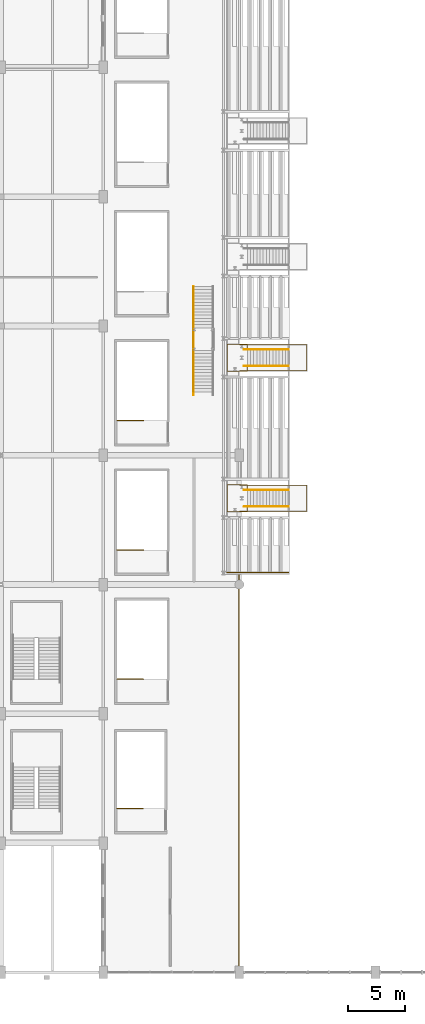
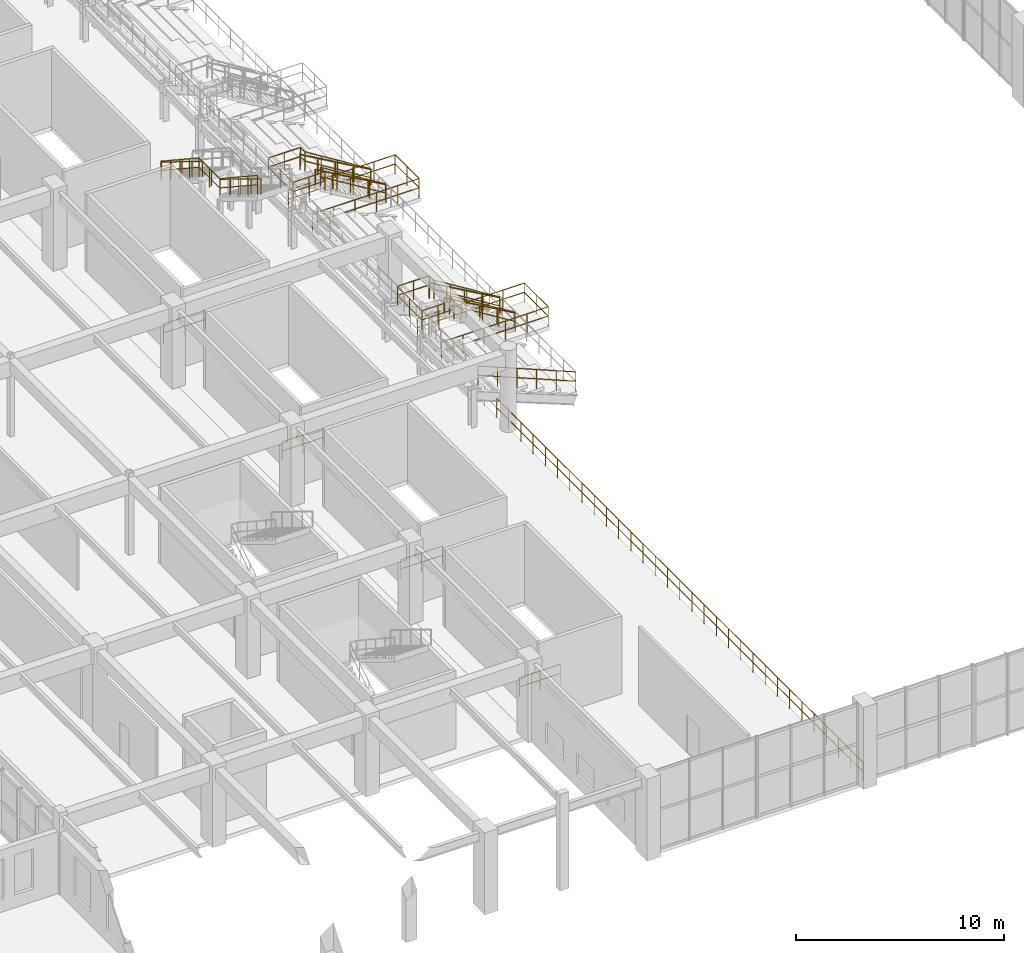
# One storey, part 102 of 106: 16 railings.
"""IFC4 building model written with IfcOpenShell, lengths in metres."""

from ifc_helpers import new_model, si_unit, direction, frame, origin, origin_2d, place, context, subcontext, project, spatial, circle, extrude, material, layer, layer_set, type_object, element, save


model = new_model("IFC4")

# Units and contexts
model_context = context("Model", 3, precision=1e-05, world=origin(), true_north=direction((0.0, 1.0)))
body_context = subcontext(model_context, "Body", "Model", "MODEL_VIEW")
ifc_project = project(units=[si_unit("LENGTHUNIT", "METRE"), si_unit("AREAUNIT", "SQUARE_METRE"), si_unit("VOLUMEUNIT", "CUBIC_METRE"), si_unit("PLANEANGLEUNIT", "RADIAN"), si_unit("MASSUNIT", "GRAM", prefix="KILO"), si_unit("POWERUNIT", "WATT"), si_unit("THERMODYNAMICTEMPERATUREUNIT", "KELVIN")], contexts=[model_context])

# Site, building, storey
site_placement = place(None, origin())
site = spatial("IfcSite", under=ifc_project, at=site_placement, CompositionType="ELEMENT")
building_placement = place(site_placement, origin())
building = spatial("IfcBuilding", under=site, at=building_placement, Name="Kelmbourne Parkland Aquatics Centre", CompositionType="ELEMENT")
storey_placement = place(building_placement, frame((0.0, 0.0, 5.39990234375)))
storey = spatial("IfcBuildingStorey", under=building, at=storey_placement, Name="L01", CompositionType="ELEMENT", Elevation=5.39990234375)

# Railings
ifc_material_1 = material(Name="Grade 316 stainless steel and laminated glass balustrade", Category="glass")
ifc_layer = layer(ifc_material_1, 0.06005859375)
ifc_layer_set = layer_set([ifc_layer], Name="Grade 316 stainless steel and laminated glass balustrade")
railing_type_1 = type_object("IfcRailingType", Name="RL-BL-114", PredefinedType="BALUSTRADE", material=ifc_layer_set)
railing_1_placement = place(storey_placement, frame((135.919921875, 61.280029296875, 0.0)))
element("IfcRailing", 1, at=railing_1_placement, inside=storey, type_object=railing_type_1, Name="FS02 west balustrade", PredefinedType="BALUSTRADE", context=body_context, shape_type="SweptSolid", body=[
    extrude(circle(Radius=0.02392578125, at=origin_2d()), frame((0.0, 0.0, 1.11572265625), z_axis=(0.0, -0.834856447115, 0.55046772177), x_axis=(1.0, 0.0, 0.0)), (0.0, 0.0, 1.0), 4.360107421875),
    extrude(circle(Radius=0.02392578125, at=origin_2d()), frame((0.0, 0.0, 0.56982421875), z_axis=(0.0, -0.834856447115, 0.55046772177), x_axis=(1.0, 0.0, 0.0)), (0.0, 0.0, 1.0), 4.360107421875),
    extrude(circle(Radius=0.02392578125, at=origin_2d()), frame((0.0, -3.64013671875, 3.51611328125), z_axis=(0.0, -1.0, 0.0), x_axis=(1.0, 0.0, 0.0)), (0.0, 0.0, 1.0), 2.0),
    extrude(circle(Radius=0.02392578125, at=origin_2d()), frame((0.0, -3.64013671875, 2.97021484375), z_axis=(0.0, -1.0, 0.0), x_axis=(1.0, 0.0, 0.0)), (0.0, 0.0, 1.0), 2.0),
    extrude(circle(Radius=0.02392578125, at=origin_2d()), frame((0.0, -5.64013671875, 3.51611328125), z_axis=(0.0, -0.834865213223, 0.550454426587), x_axis=(1.0, 0.0, 0.0)), (0.0, 0.0, 1.0), 4.35986328125),
    extrude(circle(Radius=0.02392578125, at=origin_2d()), frame((0.0, -5.64013671875, 2.97021484375), z_axis=(0.0, -0.834865213223, 0.550454426587), x_axis=(1.0, 0.0, 0.0)), (0.0, 0.0, 1.0), 4.35986328125),
    extrude(circle(Radius=0.02099609375, at=origin_2d()), origin(), (0.0, 0.0, 1.0), 1.091796875),
    extrude(circle(Radius=0.02099609375, at=origin_2d()), frame((0.0, -0.91015625, 0.60009765625)), (0.0, 0.0, 1.0), 1.091796875),
    extrude(circle(Radius=0.02099609375, at=origin_2d()), frame((0.0, -1.820068359375, 1.2001953125)), (0.0, 0.0, 1.0), 1.091796875),
    extrude(circle(Radius=0.02099609375, at=origin_2d()), frame((0.0, -2.72998046875, 1.800048828125)), (0.0, 0.0, 1.0), 1.091796875),
    extrude(circle(Radius=0.02099609375, at=origin_2d()), frame((0.0, -3.64013671875, 2.400146484375)), (0.0, 0.0, 1.0), 1.091796875),
    extrude(circle(Radius=0.02099609375, at=origin_2d()), frame((0.0, -4.64013671875, 2.400146484375)), (0.0, 0.0, 1.0), 1.091796875),
    extrude(circle(Radius=0.02099609375, at=origin_2d()), frame((0.0, -5.64013671875, 2.400146484375)), (0.0, 0.0, 1.0), 1.091796875),
    extrude(circle(Radius=0.02099609375, at=origin_2d()), frame((0.0, -6.550048828125, 3.0)), (0.0, 0.0, 1.0), 1.091796875),
    extrude(circle(Radius=0.02099609375, at=origin_2d()), frame((0.0, -7.4599609375, 3.60009765625)), (0.0, 0.0, 1.0), 1.091796875),
    extrude(circle(Radius=0.02099609375, at=origin_2d()), frame((0.0, -8.3701171875, 4.2001953125)), (0.0, 0.0, 1.0), 1.091796875),
    extrude(circle(Radius=0.02099609375, at=origin_2d()), frame((0.0, -9.280029296875, 4.800048828125)), (0.0, 0.0, 1.0), 1.091796875),
])
railing_2_placement = place(storey_placement, frame((139.949951171875, 0.85009765625, 0.0)))
element("IfcRailing", 2, at=railing_2_placement, inside=storey, type_object=railing_type_1, Name="Safety balustrade BAL-CONC-S", PredefinedType="BALUSTRADE", context=body_context, shape_type="SweptSolid", body=[
    extrude(circle(Radius=0.02392578125, at=origin_2d()), frame((0.0, 0.0, 1.11572265625), z_axis=(0.0, 1.0, 0.0), x_axis=(-1.0, 0.0, 0.0)), (0.0, 0.0, 1.0), 35.199951171875),
    extrude(circle(Radius=0.02392578125, at=origin_2d()), frame((0.0, 0.0, 0.56982421875), z_axis=(0.0, 1.0, 0.0), x_axis=(-1.0, 0.0, 0.0)), (0.0, 0.0, 1.0), 35.199951171875),
    extrude(circle(Radius=0.02099609375, at=origin_2d()), origin(), (0.0, 0.0, 1.0), 1.091796875),
    extrude(circle(Radius=0.02099609375, at=origin_2d()), frame((0.0, 1.17333984375, 0.0)), (0.0, 0.0, 1.0), 1.091796875),
    extrude(circle(Radius=0.02099609375, at=origin_2d()), frame((0.0, 2.3466796875, 0.0)), (0.0, 0.0, 1.0), 1.091796875),
    extrude(circle(Radius=0.02099609375, at=origin_2d()), frame((0.0, 3.52001953125, 0.0)), (0.0, 0.0, 1.0), 1.091796875),
    extrude(circle(Radius=0.02099609375, at=origin_2d()), frame((0.0, 4.693359375, 0.0)), (0.0, 0.0, 1.0), 1.091796875),
    extrude(circle(Radius=0.02099609375, at=origin_2d()), frame((0.0, 5.86669921875, 0.0)), (0.0, 0.0, 1.0), 1.091796875),
    extrude(circle(Radius=0.02099609375, at=origin_2d()), frame((0.0, 7.0400390625, 0.0)), (0.0, 0.0, 1.0), 1.091796875),
    extrude(circle(Radius=0.02099609375, at=origin_2d()), frame((0.0, 8.21337890625, 0.0)), (0.0, 0.0, 1.0), 1.091796875),
    extrude(circle(Radius=0.02099609375, at=origin_2d()), frame((0.0, 9.38671875, 0.0)), (0.0, 0.0, 1.0), 1.091796875),
    extrude(circle(Radius=0.02099609375, at=origin_2d()), frame((0.0, 10.56005859375, 0.0)), (0.0, 0.0, 1.0), 1.091796875),
    extrude(circle(Radius=0.02099609375, at=origin_2d()), frame((0.0, 11.7333984375, 0.0)), (0.0, 0.0, 1.0), 1.091796875),
    extrude(circle(Radius=0.02099609375, at=origin_2d()), frame((0.0, 12.90673828125, 0.0)), (0.0, 0.0, 1.0), 1.091796875),
    extrude(circle(Radius=0.02099609375, at=origin_2d()), frame((0.0, 14.080078125, 0.0)), (0.0, 0.0, 1.0), 1.091796875),
    extrude(circle(Radius=0.02099609375, at=origin_2d()), frame((0.0, 15.25341796875, 0.0)), (0.0, 0.0, 1.0), 1.091796875),
    extrude(circle(Radius=0.02099609375, at=origin_2d()), frame((0.0, 16.4267578125, 0.0)), (0.0, 0.0, 1.0), 1.091796875),
    extrude(circle(Radius=0.02099609375, at=origin_2d()), frame((0.0, 17.60009765625, 0.0)), (0.0, 0.0, 1.0), 1.091796875),
    extrude(circle(Radius=0.02099609375, at=origin_2d()), frame((0.0, 18.773193359375, 0.0)), (0.0, 0.0, 1.0), 1.091796875),
    extrude(circle(Radius=0.02099609375, at=origin_2d()), frame((0.0, 19.946533203125, 0.0)), (0.0, 0.0, 1.0), 1.091796875),
    extrude(circle(Radius=0.02099609375, at=origin_2d()), frame((0.0, 21.119873046875, 0.0)), (0.0, 0.0, 1.0), 1.091796875),
    extrude(circle(Radius=0.02099609375, at=origin_2d()), frame((0.0, 22.293212890625, 0.0)), (0.0, 0.0, 1.0), 1.091796875),
    extrude(circle(Radius=0.02099609375, at=origin_2d()), frame((0.0, 23.466552734375, 0.0)), (0.0, 0.0, 1.0), 1.091796875),
    extrude(circle(Radius=0.02099609375, at=origin_2d()), frame((0.0, 24.639892578125, 0.0)), (0.0, 0.0, 1.0), 1.091796875),
    extrude(circle(Radius=0.02099609375, at=origin_2d()), frame((0.0, 25.813232421875, 0.0)), (0.0, 0.0, 1.0), 1.091796875),
    extrude(circle(Radius=0.02099609375, at=origin_2d()), frame((0.0, 26.986572265625, 0.0)), (0.0, 0.0, 1.0), 1.091796875),
    extrude(circle(Radius=0.02099609375, at=origin_2d()), frame((0.0, 28.159912109375, 0.0)), (0.0, 0.0, 1.0), 1.091796875),
    extrude(circle(Radius=0.02099609375, at=origin_2d()), frame((0.0, 29.333251953125, 0.0)), (0.0, 0.0, 1.0), 1.091796875),
    extrude(circle(Radius=0.02099609375, at=origin_2d()), frame((0.0, 30.506591796875, 0.0)), (0.0, 0.0, 1.0), 1.091796875),
    extrude(circle(Radius=0.02099609375, at=origin_2d()), frame((0.0, 31.679931640625, 0.0)), (0.0, 0.0, 1.0), 1.091796875),
    extrude(circle(Radius=0.02099609375, at=origin_2d()), frame((0.0, 32.853271484375, 0.0)), (0.0, 0.0, 1.0), 1.091796875),
    extrude(circle(Radius=0.02099609375, at=origin_2d()), frame((0.0, 34.026611328125, 0.0)), (0.0, 0.0, 1.0), 1.091796875),
    extrude(circle(Radius=0.02099609375, at=origin_2d()), frame((0.0, 35.199951171875, 0.0)), (0.0, 0.0, 1.0), 1.091796875),
])
railing_3_placement = place(storey_placement, frame((144.35009765625, 36.050048828125, 0.0)))
element("IfcRailing", 3, at=railing_3_placement, inside=storey, type_object=railing_type_1, Name="Safety balustrade BAL-BOWL-SS", PredefinedType="BALUSTRADE", context=body_context, shape_type="SweptSolid", body=[
    extrude(circle(Radius=0.02392578125, at=origin_2d()), frame((0.0, 0.0, 1.11572265625), z_axis=(-0.923834561314, 0.0, 0.382791984402), x_axis=(0.0, -1.0, 0.0)), (0.0, 0.0, 1.0), 5.8779296875),
    extrude(circle(Radius=0.02392578125, at=origin_2d()), frame((0.0, 0.0, 0.56982421875), z_axis=(-0.923834561314, 0.0, 0.382791984402), x_axis=(0.0, -1.0, 0.0)), (0.0, 0.0, 1.0), 5.8779296875),
    extrude(circle(Radius=0.02099609375, at=origin_2d()), origin(), (0.0, 0.0, 1.0), 1.091796875),
    extrude(circle(Radius=0.02099609375, at=origin_2d()), frame((-1.0859375, 0.0, 0.449951171875)), (0.0, 0.0, 1.0), 1.091796875),
    extrude(circle(Radius=0.02099609375, at=origin_2d()), frame((-2.172119140625, 0.0, 0.89990234375)), (0.0, 0.0, 1.0), 1.091796875),
    extrude(circle(Radius=0.02099609375, at=origin_2d()), frame((-3.258056640625, 0.0, 1.35009765625)), (0.0, 0.0, 1.0), 1.091796875),
    extrude(circle(Radius=0.02099609375, at=origin_2d()), frame((-4.34423828125, 0.0, 1.800048828125)), (0.0, 0.0, 1.0), 1.091796875),
    extrude(circle(Radius=0.02099609375, at=origin_2d()), frame((-5.43017578125, 0.0, 2.25)), (0.0, 0.0, 1.0), 1.091796875),
])
ifc_material_2 = material(Name="Grade 316 marine stainless steel", Category="steel")
railing_type_2 = type_object("IfcRailingType", Name="RL-GD-112", PredefinedType="GUARDRAIL", material=ifc_material_2)
railing_4_placement = place(storey_placement, frame((129.219970703125, 15.25, 0.0)))
element("IfcRailing", 4, at=railing_4_placement, inside=storey, type_object=railing_type_2, Name="Main Bowl South Concourse Exit Stair top well guardrail", PredefinedType="GUARDRAIL", context=body_context, shape_type="SweptSolid", body=[
    extrude(circle(Radius=0.02392578125, at=origin_2d()), frame((0.0, 0.0, 1.09619140625), z_axis=(1.0, 0.0, 0.0), x_axis=(0.0, 1.0, 0.0)), (0.0, 0.0, 1.0), 2.260009765625),
    extrude(circle(Radius=0.02392578125, at=origin_2d()), frame((0.0, 0.0, 0.56005859375), z_axis=(1.0, 0.0, 0.0), x_axis=(0.0, 1.0, 0.0)), (0.0, 0.0, 1.0), 2.260009765625),
    extrude(circle(Radius=0.02099609375, at=origin_2d()), origin(), (0.0, 0.0, 1.0), 1.072021484375),
    extrude(circle(Radius=0.02099609375, at=origin_2d()), frame((1.1298828125, 0.0, 0.0)), (0.0, 0.0, 1.0), 1.072021484375),
    extrude(circle(Radius=0.02099609375, at=origin_2d()), frame((2.260009765625, 0.0, 0.0)), (0.0, 0.0, 1.0), 1.072021484375),
])
for number, where, name in (
    (5, (129.219970703125, 26.64990234375, 0.0), "Spectator Bowl Exit Stair Bay 3 top well guardrail"),
    (6, (129.219970703125, 38.050048828125, 0.0), "Spectator Bowl Exit Stair Bay 4 top well guardrail"),
    (7, (129.219970703125, 49.449951171875, 0.0), "Spectator Bowl Exit Stair Bay 5 top well guardrail"),
):
    element("IfcRailing", number, at=place(storey_placement, frame(where)), inside=storey, type_object=railing_type_2, Name=name, PredefinedType="GUARDRAIL", context=body_context, shape_type="SweptSolid", body=[
        extrude(circle(Radius=0.02392578125, at=origin_2d()), frame((0.0, 0.0, 1.09619140625), z_axis=(1.0, 0.0, 0.0), x_axis=(0.0, 1.0, 0.0)), (0.0, 0.0, 1.0), 2.31005859375),
        extrude(circle(Radius=0.02392578125, at=origin_2d()), frame((0.0, 0.0, 0.56005859375), z_axis=(1.0, 0.0, 0.0), x_axis=(0.0, 1.0, 0.0)), (0.0, 0.0, 1.0), 2.31005859375),
        extrude(circle(Radius=0.02099609375, at=origin_2d()), origin(), (0.0, 0.0, 1.0), 1.072021484375),
        extrude(circle(Radius=0.02099609375, at=origin_2d()), frame((1.155029296875, 0.0, 0.0)), (0.0, 0.0, 1.0), 1.072021484375),
        extrude(circle(Radius=0.02099609375, at=origin_2d()), frame((2.31005859375, 0.0, 0.0)), (0.0, 0.0, 1.0), 1.072021484375),
    ])
railing_5_placement = place(storey_placement, frame((140.02001953125, 41.449951171875, 0.0)))
element("IfcRailing", 8, at=railing_5_placement, inside=storey, type_object=railing_type_2, Name="VM01 lower landing guardrail", PredefinedType="GUARDRAIL", context=body_context, shape_type="SweptSolid", body=[
    extrude(circle(Radius=0.02392578125, at=origin_2d()), frame((0.0, 0.0, 1.09619140625), z_axis=(1.0, 0.0, 0.0), x_axis=(0.0, 1.0, 0.0)), (0.0, 0.0, 1.0), 5.919921875),
    extrude(circle(Radius=0.02392578125, at=origin_2d()), frame((0.0, 0.0, 0.56005859375), z_axis=(1.0, 0.0, 0.0), x_axis=(0.0, 1.0, 0.0)), (0.0, 0.0, 1.0), 5.919921875),
    extrude(circle(Radius=0.02392578125, at=origin_2d()), frame((5.919921875, 0.0, 1.09619140625), z_axis=(0.0, 1.0, 0.0), x_axis=(-1.0, 0.0, 0.0)), (0.0, 0.0, 1.0), 2.300048828125),
    extrude(circle(Radius=0.02392578125, at=origin_2d()), frame((5.919921875, 0.0, 0.56005859375), z_axis=(0.0, 1.0, 0.0), x_axis=(-1.0, 0.0, 0.0)), (0.0, 0.0, 1.0), 2.300048828125),
    extrude(circle(Radius=0.02392578125, at=origin_2d()), frame((5.919921875, 2.300048828125, 1.09619140625), z_axis=(-1.0, 0.0, 0.0), x_axis=(0.0, -1.0, 0.0)), (0.0, 0.0, 1.0), 5.919921875),
    extrude(circle(Radius=0.02392578125, at=origin_2d()), frame((5.919921875, 2.300048828125, 0.56005859375), z_axis=(-1.0, 0.0, 0.0), x_axis=(0.0, -1.0, 0.0)), (0.0, 0.0, 1.0), 5.919921875),
    extrude(circle(Radius=0.02099609375, at=origin_2d()), origin(), (0.0, 0.0, 1.0), 1.072021484375),
    extrude(circle(Radius=0.02099609375, at=origin_2d()), frame((1.18408203125, 0.0, 0.0)), (0.0, 0.0, 1.0), 1.072021484375),
    extrude(circle(Radius=0.02099609375, at=origin_2d()), frame((2.367919921875, 0.0, 0.0)), (0.0, 0.0, 1.0), 1.072021484375),
    extrude(circle(Radius=0.02099609375, at=origin_2d()), frame((3.552001953125, 0.0, 0.0)), (0.0, 0.0, 1.0), 1.072021484375),
    extrude(circle(Radius=0.02099609375, at=origin_2d()), frame((4.73583984375, 0.0, 0.0)), (0.0, 0.0, 1.0), 1.072021484375),
    extrude(circle(Radius=0.02099609375, at=origin_2d()), frame((5.919921875, 0.0, 0.0)), (0.0, 0.0, 1.0), 1.072021484375),
    extrude(circle(Radius=0.02099609375, at=origin_2d()), frame((5.919921875, 1.14990234375, 0.0)), (0.0, 0.0, 1.0), 1.072021484375),
    extrude(circle(Radius=0.02099609375, at=origin_2d()), frame((5.919921875, 2.300048828125, 0.0)), (0.0, 0.0, 1.0), 1.072021484375),
    extrude(circle(Radius=0.02099609375, at=origin_2d()), frame((4.73583984375, 2.300048828125, 0.0)), (0.0, 0.0, 1.0), 1.072021484375),
    extrude(circle(Radius=0.02099609375, at=origin_2d()), frame((3.552001953125, 2.300048828125, 0.0)), (0.0, 0.0, 1.0), 1.072021484375),
    extrude(circle(Radius=0.02099609375, at=origin_2d()), frame((2.367919921875, 2.300048828125, 0.0)), (0.0, 0.0, 1.0), 1.072021484375),
    extrude(circle(Radius=0.02099609375, at=origin_2d()), frame((1.18408203125, 2.300048828125, 0.0)), (0.0, 0.0, 1.0), 1.072021484375),
    extrude(circle(Radius=0.02099609375, at=origin_2d()), frame((0.0, 2.300048828125, 0.0)), (0.0, 0.0, 1.0), 1.072021484375),
])
railing_6_placement = place(storey_placement, frame((144.340087890625, 41.85009765625, 0.0)))
element("IfcRailing", 9, at=railing_6_placement, inside=storey, type_object=railing_type_2, Name="VM01 upper flight and landing guardrail", PredefinedType="GUARDRAIL", context=body_context, shape_type="SweptSolid", body=[
    extrude(circle(Radius=0.02392578125, at=origin_2d()), frame((0.0, 0.0, 1.09619140625), z_axis=(-0.850622404505, 0.0, 0.525777067734), x_axis=(0.0, -1.0, 0.0)), (0.0, 0.0, 1.0), 4.279296875),
    extrude(circle(Radius=0.02392578125, at=origin_2d()), frame((0.0, 0.0, 0.56005859375), z_axis=(-0.850622404505, 0.0, 0.525777067734), x_axis=(0.0, -1.0, 0.0)), (0.0, 0.0, 1.0), 4.279296875),
    extrude(circle(Radius=0.02392578125, at=origin_2d()), frame((-3.64013671875, 0.0, 3.34619140625), z_axis=(0.0, -1.0, 0.0), x_axis=(1.0, 0.0, 0.0)), (0.0, 0.0, 1.0), 0.43017578125),
    extrude(circle(Radius=0.02392578125, at=origin_2d()), frame((-3.64013671875, 0.0, 2.81005859375), z_axis=(0.0, -1.0, 0.0), x_axis=(1.0, 0.0, 0.0)), (0.0, 0.0, 1.0), 0.43017578125),
    extrude(circle(Radius=0.02392578125, at=origin_2d()), frame((-3.64013671875, -0.43017578125, 3.34619140625), z_axis=(-1.0, 0.0, 0.0), x_axis=(0.0, -1.0, 0.0)), (0.0, 0.0, 1.0), 1.780029296875),
    extrude(circle(Radius=0.02392578125, at=origin_2d()), frame((-3.64013671875, -0.43017578125, 2.81005859375), z_axis=(-1.0, 0.0, 0.0), x_axis=(0.0, -1.0, 0.0)), (0.0, 0.0, 1.0), 1.780029296875),
    extrude(circle(Radius=0.02392578125, at=origin_2d()), frame((-5.420166015625, -0.43017578125, 3.34619140625), z_axis=(0.0, 1.0, 0.0), x_axis=(-1.0, 0.0, 0.0)), (0.0, 0.0, 1.0), 2.360107421875),
    extrude(circle(Radius=0.02392578125, at=origin_2d()), frame((-5.420166015625, -0.43017578125, 2.81005859375), z_axis=(0.0, 1.0, 0.0), x_axis=(-1.0, 0.0, 0.0)), (0.0, 0.0, 1.0), 2.360107421875),
    extrude(circle(Radius=0.02392578125, at=origin_2d()), frame((-5.420166015625, 1.929931640625, 3.34619140625), z_axis=(1.0, 0.0, 0.0), x_axis=(0.0, 1.0, 0.0)), (0.0, 0.0, 1.0), 1.780029296875),
    extrude(circle(Radius=0.02392578125, at=origin_2d()), frame((-5.420166015625, 1.929931640625, 2.81005859375), z_axis=(1.0, 0.0, 0.0), x_axis=(0.0, 1.0, 0.0)), (0.0, 0.0, 1.0), 1.780029296875),
    extrude(circle(Radius=0.02392578125, at=origin_2d()), frame((-3.64013671875, 1.929931640625, 3.34619140625), z_axis=(0.0, -1.0, 0.0), x_axis=(1.0, 0.0, 0.0)), (0.0, 0.0, 1.0), 0.429931640625),
    extrude(circle(Radius=0.02392578125, at=origin_2d()), frame((-3.64013671875, 1.929931640625, 2.81005859375), z_axis=(0.0, -1.0, 0.0), x_axis=(1.0, 0.0, 0.0)), (0.0, 0.0, 1.0), 0.429931640625),
    extrude(circle(Radius=0.02392578125, at=origin_2d()), frame((-3.64013671875, 1.5, 3.34619140625), z_axis=(0.850622404505, 0.0, -0.525777067734), x_axis=(0.0, 1.0, 0.0)), (0.0, 0.0, 1.0), 4.279296875),
    extrude(circle(Radius=0.02392578125, at=origin_2d()), frame((-3.64013671875, 1.5, 2.81005859375), z_axis=(0.850622404505, 0.0, -0.525777067734), x_axis=(0.0, 1.0, 0.0)), (0.0, 0.0, 1.0), 4.279296875),
    extrude(circle(Radius=0.02099609375, at=origin_2d()), origin(), (0.0, 0.0, 1.0), 1.072021484375),
    extrude(circle(Radius=0.02099609375, at=origin_2d()), frame((-0.91015625, 0.0, 0.5625)), (0.0, 0.0, 1.0), 1.072021484375),
    extrude(circle(Radius=0.02099609375, at=origin_2d()), frame((-1.820068359375, 0.0, 1.125)), (0.0, 0.0, 1.0), 1.072021484375),
    extrude(circle(Radius=0.02099609375, at=origin_2d()), frame((-2.72998046875, 0.0, 1.6875)), (0.0, 0.0, 1.0), 1.072021484375),
    extrude(circle(Radius=0.02099609375, at=origin_2d()), frame((-3.64013671875, 0.0, 2.25)), (0.0, 0.0, 1.0), 1.072021484375),
    extrude(circle(Radius=0.02099609375, at=origin_2d()), frame((-3.64013671875, -0.43017578125, 2.25)), (0.0, 0.0, 1.0), 1.072021484375),
    extrude(circle(Radius=0.02099609375, at=origin_2d()), frame((-4.5302734375, -0.43017578125, 2.25)), (0.0, 0.0, 1.0), 1.072021484375),
    extrude(circle(Radius=0.02099609375, at=origin_2d()), frame((-5.420166015625, -0.43017578125, 2.25)), (0.0, 0.0, 1.0), 1.072021484375),
    extrude(circle(Radius=0.02099609375, at=origin_2d()), frame((-5.420166015625, 0.75, 2.25)), (0.0, 0.0, 1.0), 1.072021484375),
    extrude(circle(Radius=0.02099609375, at=origin_2d()), frame((-5.420166015625, 1.929931640625, 2.25)), (0.0, 0.0, 1.0), 1.072021484375),
    extrude(circle(Radius=0.02099609375, at=origin_2d()), frame((-4.5302734375, 1.929931640625, 2.25)), (0.0, 0.0, 1.0), 1.072021484375),
    extrude(circle(Radius=0.02099609375, at=origin_2d()), frame((-3.64013671875, 1.929931640625, 2.25)), (0.0, 0.0, 1.0), 1.072021484375),
    extrude(circle(Radius=0.02099609375, at=origin_2d()), frame((-3.64013671875, 1.5, 2.25)), (0.0, 0.0, 1.0), 1.072021484375),
    extrude(circle(Radius=0.02099609375, at=origin_2d()), frame((-2.72998046875, 1.5, 1.6875)), (0.0, 0.0, 1.0), 1.072021484375),
    extrude(circle(Radius=0.02099609375, at=origin_2d()), frame((-1.820068359375, 1.5, 1.125)), (0.0, 0.0, 1.0), 1.072021484375),
    extrude(circle(Radius=0.02099609375, at=origin_2d()), frame((-0.91015625, 1.5, 0.5625)), (0.0, 0.0, 1.0), 1.072021484375),
    extrude(circle(Radius=0.02099609375, at=origin_2d()), frame((0.0, 1.5, 0.0)), (0.0, 0.0, 1.0), 1.072021484375),
])
railing_7_placement = place(storey_placement, frame((140.02001953125, 53.85009765625, 0.0)))
element("IfcRailing", 10, at=railing_7_placement, inside=storey, type_object=railing_type_2, Name="VM02 lower landing guardrail", PredefinedType="GUARDRAIL", context=body_context, shape_type="SweptSolid", body=[
    extrude(circle(Radius=0.02392578125, at=origin_2d()), frame((0.0, 0.0, 1.09619140625), z_axis=(1.0, 0.0, 0.0), x_axis=(0.0, 1.0, 0.0)), (0.0, 0.0, 1.0), 5.919921875),
    extrude(circle(Radius=0.02392578125, at=origin_2d()), frame((0.0, 0.0, 0.56005859375), z_axis=(1.0, 0.0, 0.0), x_axis=(0.0, 1.0, 0.0)), (0.0, 0.0, 1.0), 5.919921875),
    extrude(circle(Radius=0.02392578125, at=origin_2d()), frame((5.919921875, 0.0, 1.09619140625), z_axis=(0.0, 1.0, 0.0), x_axis=(-1.0, 0.0, 0.0)), (0.0, 0.0, 1.0), 2.2998046875),
    extrude(circle(Radius=0.02392578125, at=origin_2d()), frame((5.919921875, 0.0, 0.56005859375), z_axis=(0.0, 1.0, 0.0), x_axis=(-1.0, 0.0, 0.0)), (0.0, 0.0, 1.0), 2.2998046875),
    extrude(circle(Radius=0.02392578125, at=origin_2d()), frame((5.919921875, 2.2998046875, 1.09619140625), z_axis=(-1.0, 0.0, 0.0), x_axis=(0.0, -1.0, 0.0)), (0.0, 0.0, 1.0), 5.919921875),
    extrude(circle(Radius=0.02392578125, at=origin_2d()), frame((5.919921875, 2.2998046875, 0.56005859375), z_axis=(-1.0, 0.0, 0.0), x_axis=(0.0, -1.0, 0.0)), (0.0, 0.0, 1.0), 5.919921875),
    extrude(circle(Radius=0.02099609375, at=origin_2d()), origin(), (0.0, 0.0, 1.0), 1.072021484375),
    extrude(circle(Radius=0.02099609375, at=origin_2d()), frame((1.18408203125, 0.0, 0.0)), (0.0, 0.0, 1.0), 1.072021484375),
    extrude(circle(Radius=0.02099609375, at=origin_2d()), frame((2.367919921875, 0.0, 0.0)), (0.0, 0.0, 1.0), 1.072021484375),
    extrude(circle(Radius=0.02099609375, at=origin_2d()), frame((3.552001953125, 0.0, 0.0)), (0.0, 0.0, 1.0), 1.072021484375),
    extrude(circle(Radius=0.02099609375, at=origin_2d()), frame((4.73583984375, 0.0, 0.0)), (0.0, 0.0, 1.0), 1.072021484375),
    extrude(circle(Radius=0.02099609375, at=origin_2d()), frame((5.919921875, 0.0, 0.0)), (0.0, 0.0, 1.0), 1.072021484375),
    extrude(circle(Radius=0.02099609375, at=origin_2d()), frame((5.919921875, 1.14990234375, 0.0)), (0.0, 0.0, 1.0), 1.072021484375),
    extrude(circle(Radius=0.02099609375, at=origin_2d()), frame((5.919921875, 2.2998046875, 0.0)), (0.0, 0.0, 1.0), 1.072021484375),
    extrude(circle(Radius=0.02099609375, at=origin_2d()), frame((4.73583984375, 2.2998046875, 0.0)), (0.0, 0.0, 1.0), 1.072021484375),
    extrude(circle(Radius=0.02099609375, at=origin_2d()), frame((3.552001953125, 2.2998046875, 0.0)), (0.0, 0.0, 1.0), 1.072021484375),
    extrude(circle(Radius=0.02099609375, at=origin_2d()), frame((2.367919921875, 2.2998046875, 0.0)), (0.0, 0.0, 1.0), 1.072021484375),
    extrude(circle(Radius=0.02099609375, at=origin_2d()), frame((1.18408203125, 2.2998046875, 0.0)), (0.0, 0.0, 1.0), 1.072021484375),
    extrude(circle(Radius=0.02099609375, at=origin_2d()), frame((0.0, 2.2998046875, 0.0)), (0.0, 0.0, 1.0), 1.072021484375),
])
railing_8_placement = place(storey_placement, frame((144.340087890625, 54.25, 0.0)))
element("IfcRailing", 11, at=railing_8_placement, inside=storey, type_object=railing_type_2, Name="VM02 upper flight and landing guardrail", PredefinedType="GUARDRAIL", context=body_context, shape_type="SweptSolid", body=[
    extrude(circle(Radius=0.02392578125, at=origin_2d()), frame((0.0, 0.0, 1.09619140625), z_axis=(-0.850622404505, 0.0, 0.525777067734), x_axis=(0.0, -1.0, 0.0)), (0.0, 0.0, 1.0), 4.279296875),
    extrude(circle(Radius=0.02392578125, at=origin_2d()), frame((0.0, 0.0, 0.56005859375), z_axis=(-0.850622404505, 0.0, 0.525777067734), x_axis=(0.0, -1.0, 0.0)), (0.0, 0.0, 1.0), 4.279296875),
    extrude(circle(Radius=0.02392578125, at=origin_2d()), frame((-3.64013671875, 0.0, 3.34619140625), z_axis=(0.0, -1.0, 0.0), x_axis=(1.0, 0.0, 0.0)), (0.0, 0.0, 1.0), 0.429931640625),
    extrude(circle(Radius=0.02392578125, at=origin_2d()), frame((-3.64013671875, 0.0, 2.81005859375), z_axis=(0.0, -1.0, 0.0), x_axis=(1.0, 0.0, 0.0)), (0.0, 0.0, 1.0), 0.429931640625),
    extrude(circle(Radius=0.02392578125, at=origin_2d()), frame((-3.64013671875, -0.429931640625, 3.34619140625), z_axis=(-1.0, 0.0, 0.0), x_axis=(0.0, -1.0, 0.0)), (0.0, 0.0, 1.0), 1.780029296875),
    extrude(circle(Radius=0.02392578125, at=origin_2d()), frame((-3.64013671875, -0.429931640625, 2.81005859375), z_axis=(-1.0, 0.0, 0.0), x_axis=(0.0, -1.0, 0.0)), (0.0, 0.0, 1.0), 1.780029296875),
    extrude(circle(Radius=0.02392578125, at=origin_2d()), frame((-5.420166015625, -0.429931640625, 3.34619140625), z_axis=(0.0, 1.0, 0.0), x_axis=(-1.0, 0.0, 0.0)), (0.0, 0.0, 1.0), 2.35986328125),
    extrude(circle(Radius=0.02392578125, at=origin_2d()), frame((-5.420166015625, -0.429931640625, 2.81005859375), z_axis=(0.0, 1.0, 0.0), x_axis=(-1.0, 0.0, 0.0)), (0.0, 0.0, 1.0), 2.35986328125),
    extrude(circle(Radius=0.02392578125, at=origin_2d()), frame((-5.420166015625, 1.929931640625, 3.34619140625), z_axis=(1.0, 0.0, 0.0), x_axis=(0.0, 1.0, 0.0)), (0.0, 0.0, 1.0), 1.780029296875),
    extrude(circle(Radius=0.02392578125, at=origin_2d()), frame((-5.420166015625, 1.929931640625, 2.81005859375), z_axis=(1.0, 0.0, 0.0), x_axis=(0.0, 1.0, 0.0)), (0.0, 0.0, 1.0), 1.780029296875),
    extrude(circle(Radius=0.02392578125, at=origin_2d()), frame((-3.64013671875, 1.929931640625, 3.34619140625), z_axis=(0.0, -1.0, 0.0), x_axis=(1.0, 0.0, 0.0)), (0.0, 0.0, 1.0), 0.429931640625),
    extrude(circle(Radius=0.02392578125, at=origin_2d()), frame((-3.64013671875, 1.929931640625, 2.81005859375), z_axis=(0.0, -1.0, 0.0), x_axis=(1.0, 0.0, 0.0)), (0.0, 0.0, 1.0), 0.429931640625),
    extrude(circle(Radius=0.02392578125, at=origin_2d()), frame((-3.64013671875, 1.5, 3.34619140625), z_axis=(0.850622404505, 0.0, -0.525777067734), x_axis=(0.0, 1.0, 0.0)), (0.0, 0.0, 1.0), 4.279296875),
    extrude(circle(Radius=0.02392578125, at=origin_2d()), frame((-3.64013671875, 1.5, 2.81005859375), z_axis=(0.850622404505, 0.0, -0.525777067734), x_axis=(0.0, 1.0, 0.0)), (0.0, 0.0, 1.0), 4.279296875),
    extrude(circle(Radius=0.02099609375, at=origin_2d()), origin(), (0.0, 0.0, 1.0), 1.072021484375),
    extrude(circle(Radius=0.02099609375, at=origin_2d()), frame((-0.91015625, 0.0, 0.5625)), (0.0, 0.0, 1.0), 1.072021484375),
    extrude(circle(Radius=0.02099609375, at=origin_2d()), frame((-1.820068359375, 0.0, 1.125)), (0.0, 0.0, 1.0), 1.072021484375),
    extrude(circle(Radius=0.02099609375, at=origin_2d()), frame((-2.72998046875, 0.0, 1.6875)), (0.0, 0.0, 1.0), 1.072021484375),
    extrude(circle(Radius=0.02099609375, at=origin_2d()), frame((-3.64013671875, 0.0, 2.25)), (0.0, 0.0, 1.0), 1.072021484375),
    extrude(circle(Radius=0.02099609375, at=origin_2d()), frame((-3.64013671875, -0.429931640625, 2.25)), (0.0, 0.0, 1.0), 1.072021484375),
    extrude(circle(Radius=0.02099609375, at=origin_2d()), frame((-4.5302734375, -0.429931640625, 2.25)), (0.0, 0.0, 1.0), 1.072021484375),
    extrude(circle(Radius=0.02099609375, at=origin_2d()), frame((-5.420166015625, -0.429931640625, 2.25)), (0.0, 0.0, 1.0), 1.072021484375),
    extrude(circle(Radius=0.02099609375, at=origin_2d()), frame((-5.420166015625, 0.75, 2.25)), (0.0, 0.0, 1.0), 1.072021484375),
    extrude(circle(Radius=0.02099609375, at=origin_2d()), frame((-5.420166015625, 1.929931640625, 2.25)), (0.0, 0.0, 1.0), 1.072021484375),
    extrude(circle(Radius=0.02099609375, at=origin_2d()), frame((-4.5302734375, 1.929931640625, 2.25)), (0.0, 0.0, 1.0), 1.072021484375),
    extrude(circle(Radius=0.02099609375, at=origin_2d()), frame((-3.64013671875, 1.929931640625, 2.25)), (0.0, 0.0, 1.0), 1.072021484375),
    extrude(circle(Radius=0.02099609375, at=origin_2d()), frame((-3.64013671875, 1.5, 2.25)), (0.0, 0.0, 1.0), 1.072021484375),
    extrude(circle(Radius=0.02099609375, at=origin_2d()), frame((-2.72998046875, 1.5, 1.6875)), (0.0, 0.0, 1.0), 1.072021484375),
    extrude(circle(Radius=0.02099609375, at=origin_2d()), frame((-1.820068359375, 1.5, 1.125)), (0.0, 0.0, 1.0), 1.072021484375),
    extrude(circle(Radius=0.02099609375, at=origin_2d()), frame((-0.91015625, 1.5, 0.5625)), (0.0, 0.0, 1.0), 1.072021484375),
    extrude(circle(Radius=0.02099609375, at=origin_2d()), frame((0.0, 1.5, 0.0)), (0.0, 0.0, 1.0), 1.072021484375),
])
railing_type_3 = type_object("IfcRailingType", Name="RL-HR-92", PredefinedType="HANDRAIL", material=ifc_material_2)
railing_9_placement = place(storey_placement, frame((135.949951171875, 61.280029296875, 0.17138671875)))
element("IfcRailing", 12, at=railing_9_placement, inside=storey, type_object=railing_type_3, Name="FS02 west handrail", PredefinedType="HANDRAIL", context=body_context, shape_type="SweptSolid", body=[
    extrude(circle(Radius=0.02392578125, at=origin_2d()), frame((0.0, 0.0, 0.89599609375), z_axis=(0.0, -0.852832477147, 0.522184609045), x_axis=(1.0, 0.0, 0.0)), (0.0, 0.0, 1.0), 4.596435546875),
    extrude(circle(Radius=0.02392578125, at=origin_2d()), frame((0.0, -3.919921875, 3.2958984375), z_axis=(0.0, -1.0, 0.0), x_axis=(1.0, 0.0, 0.0)), (0.0, 0.0, 1.0), 1.72021484375),
    extrude(circle(Radius=0.02392578125, at=origin_2d()), frame((0.0, -5.64013671875, 3.2958984375), z_axis=(0.0, -0.852856131449, 0.522145974847), x_axis=(1.0, 0.0, 0.0)), (0.0, 0.0, 1.0), 4.59619140625),
    extrude(circle(Radius=0.02099609375, at=origin_2d()), origin(), (0.0, 0.0, 1.0), 0.871826171875),
    extrude(circle(Radius=0.02099609375, at=origin_2d()), frame((0.0, -0.97998046875, 0.60009765625)), (0.0, 0.0, 1.0), 0.871826171875),
    extrude(circle(Radius=0.02099609375, at=origin_2d()), frame((0.0, -1.9599609375, 1.2001953125)), (0.0, 0.0, 1.0), 0.871826171875),
    extrude(circle(Radius=0.02099609375, at=origin_2d()), frame((0.0, -2.93994140625, 1.800048828125)), (0.0, 0.0, 1.0), 0.871826171875),
    extrude(circle(Radius=0.02099609375, at=origin_2d()), frame((0.0, -3.919921875, 2.400146484375)), (0.0, 0.0, 1.0), 0.871826171875),
    extrude(circle(Radius=0.02099609375, at=origin_2d()), frame((0.0, -4.780029296875, 2.400146484375)), (0.0, 0.0, 1.0), 0.871826171875),
    extrude(circle(Radius=0.02099609375, at=origin_2d()), frame((0.0, -5.64013671875, 2.400146484375)), (0.0, 0.0, 1.0), 0.871826171875),
    extrude(circle(Radius=0.02099609375, at=origin_2d()), frame((0.0, -6.6201171875, 3.0)), (0.0, 0.0, 1.0), 0.871826171875),
    extrude(circle(Radius=0.02099609375, at=origin_2d()), frame((0.0, -7.60009765625, 3.60009765625)), (0.0, 0.0, 1.0), 0.871826171875),
    extrude(circle(Radius=0.02099609375, at=origin_2d()), frame((0.0, -8.580078125, 4.2001953125)), (0.0, 0.0, 1.0), 0.871826171875),
    extrude(circle(Radius=0.02099609375, at=origin_2d()), frame((0.0, -9.56005859375, 4.800048828125)), (0.0, 0.0, 1.0), 0.871826171875),
])
for number, where, name in (
    (13, (144.340087890625, 41.8701171875, 0.160888671875), "VM01 south handrail"),
    (14, (144.340087890625, 43.330078125, 0.160888671875), "VM01 north handrail"),
    (15, (144.340087890625, 54.27001953125, 0.160888671875), "VM02 south handrail"),
    (16, (144.340087890625, 55.72998046875, 0.160888671875), "VM02 north handrail"),
):
    element("IfcRailing", number, at=place(storey_placement, frame(where)), inside=storey, type_object=railing_type_3, Name=name, PredefinedType="HANDRAIL", context=body_context, shape_type="SweptSolid", body=[
        extrude(circle(Radius=0.02392578125, at=origin_2d()), frame((0.0, 0.0, 0.89599609375), z_axis=(-0.867297577681, 0.0, 0.497790027771), x_axis=(0.0, -1.0, 0.0)), (0.0, 0.0, 1.0), 4.52001953125),
        extrude(circle(Radius=0.02099609375, at=origin_2d()), origin(), (0.0, 0.0, 1.0), 0.871826171875),
        extrude(circle(Radius=0.02099609375, at=origin_2d()), frame((-0.97998046875, 0.0, 0.5625)), (0.0, 0.0, 1.0), 0.871826171875),
        extrude(circle(Radius=0.02099609375, at=origin_2d()), frame((-1.9599609375, 0.0, 1.125)), (0.0, 0.0, 1.0), 0.871826171875),
        extrude(circle(Radius=0.02099609375, at=origin_2d()), frame((-2.940185546875, 0.0, 1.6875)), (0.0, 0.0, 1.0), 0.871826171875),
        extrude(circle(Radius=0.02099609375, at=origin_2d()), frame((-3.920166015625, 0.0, 2.25)), (0.0, 0.0, 1.0), 0.871826171875),
    ])

save(model, "model.ifc")
